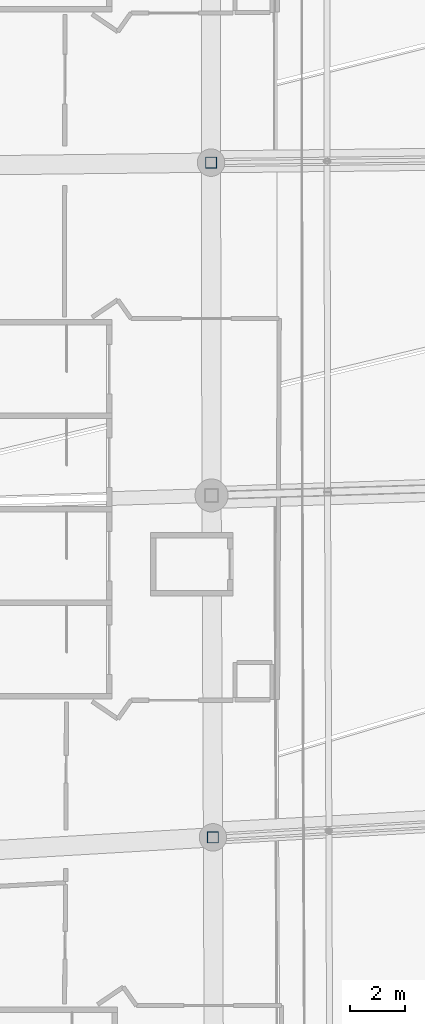
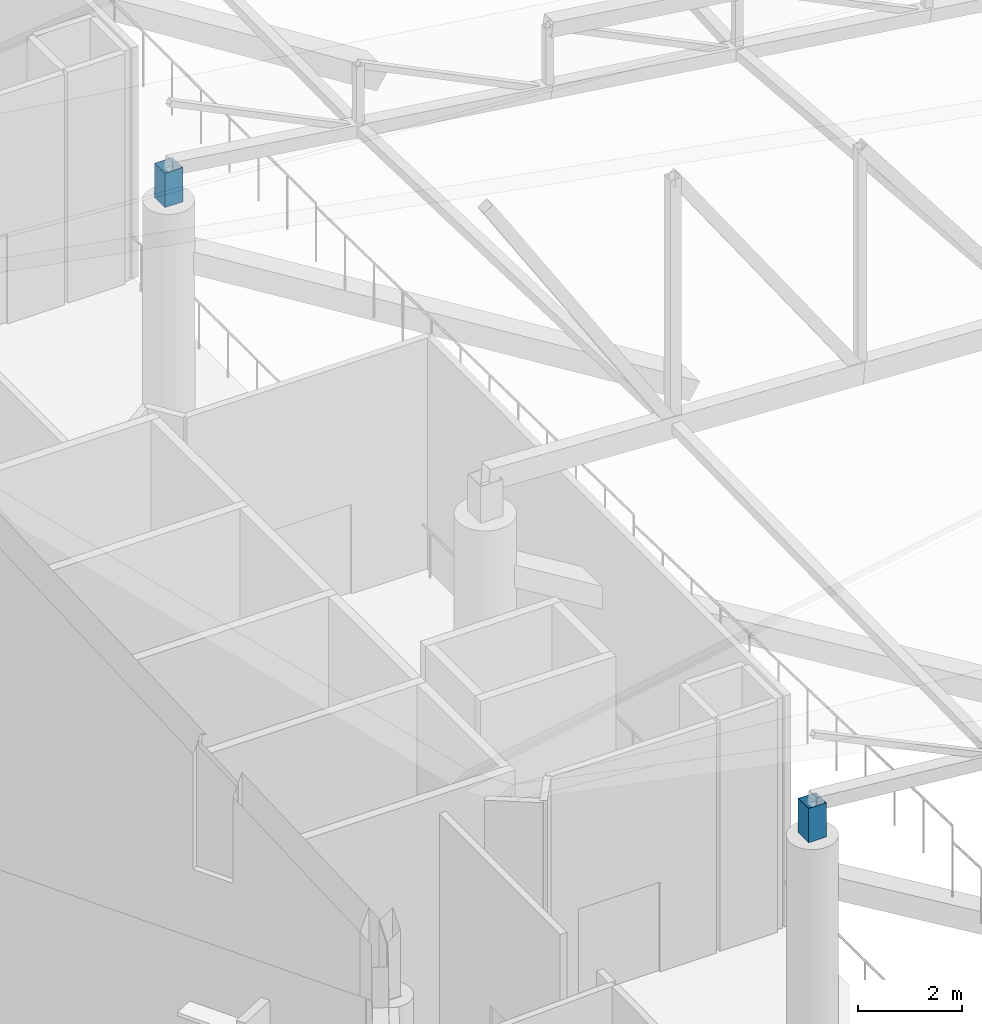
# One storey, part 211 of 344: 2 members.
"""IFC4 building model written with IfcOpenShell, lengths in metres."""

from ifc_helpers import new_model, si_unit, direction, frame, origin, origin_2d, place, context, subcontext, project, spatial, hollow_rectangle, extrude, material, material_profile, profile_set, type_object, element, save


model = new_model("IFC4")

# Units and contexts
model_context = context("Model", 3, precision=1e-05, world=origin(), true_north=direction((0.0, 1.0)))
body_context = subcontext(model_context, "Body", "Model", "MODEL_VIEW")
ifc_project = project(units=[si_unit("LENGTHUNIT", "METRE"), si_unit("AREAUNIT", "SQUARE_METRE"), si_unit("VOLUMEUNIT", "CUBIC_METRE"), si_unit("PLANEANGLEUNIT", "RADIAN"), si_unit("MASSUNIT", "GRAM", prefix="KILO")], contexts=[model_context])

# Site, building, storey
site_placement = place(None, origin())
site = spatial("IfcSite", under=ifc_project, at=site_placement, CompositionType="ELEMENT")
building_placement = place(site_placement, origin())
building = spatial("IfcBuilding", under=site, at=building_placement, Name="Meseta Stadium", CompositionType="ELEMENT")
storey_placement = place(building_placement, frame((0.0, 0.0, 24.0)))
storey = spatial("IfcBuildingStorey", under=building, at=storey_placement, Name="L04", CompositionType="ELEMENT", Elevation=24.0)

# Members
ifc_material = material(Name="Steel S355", Category="steel")
ifc_material_profile = material_profile(ifc_material, hollow_rectangle(XDim=0.39990234375, YDim=0.39990234375, WallThickness=0.010009765625, at=origin_2d()), Name="SHS 400x400x10")
ifc_profile_set = profile_set([ifc_material_profile], Name="Steel S355")
member_type = type_object("IfcMemberType", Name="SHS 400x400x10 pedestal", PredefinedType="POST", material=ifc_profile_set)
for number, where, z_axis, x_axis, name in (
    (1, (-84.9970703125, -6.13720703125, 6.0), (0.0, 0.0, 1.0), (1.0, 0.0, 0.0), "ROOF TRUSS RT-33 pedestal"),
    (2, (-84.92529296875, -30.681640625, 6.0), (0.0, 0.0, 1.0), (1.0, 0.0, 0.0), "ROOF TRUSS RT-35 pedestal"),
):
    element("IfcMember", number, at=place(storey_placement, frame(where, z_axis=z_axis, x_axis=x_axis)), inside=storey, type_object=member_type, Name=name, PredefinedType="POST", context=body_context, shape_type="SweptSolid", body=[
        extrude(hollow_rectangle(XDim=0.39990234375, YDim=0.39990234375, WallThickness=0.010009765625, at=origin_2d()), origin(), (0.0, 0.0, 1.0), 0.800048828125),
    ])

save(model, "model.ifc")
